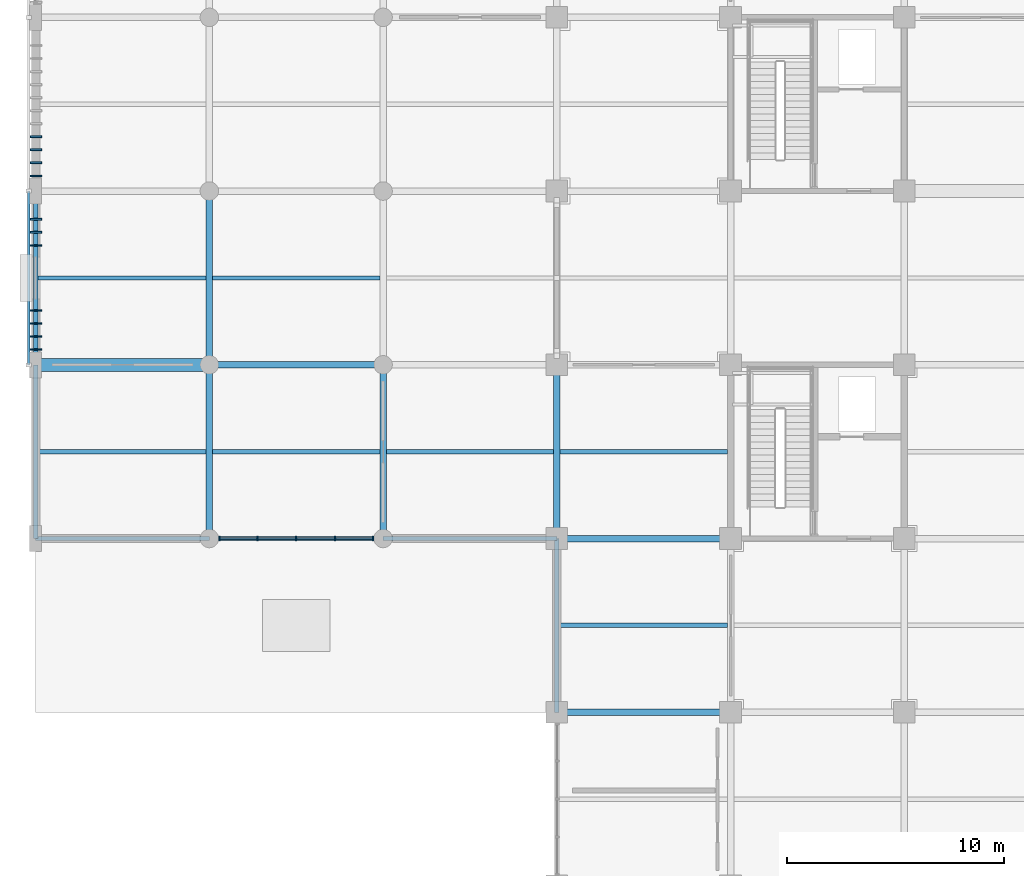
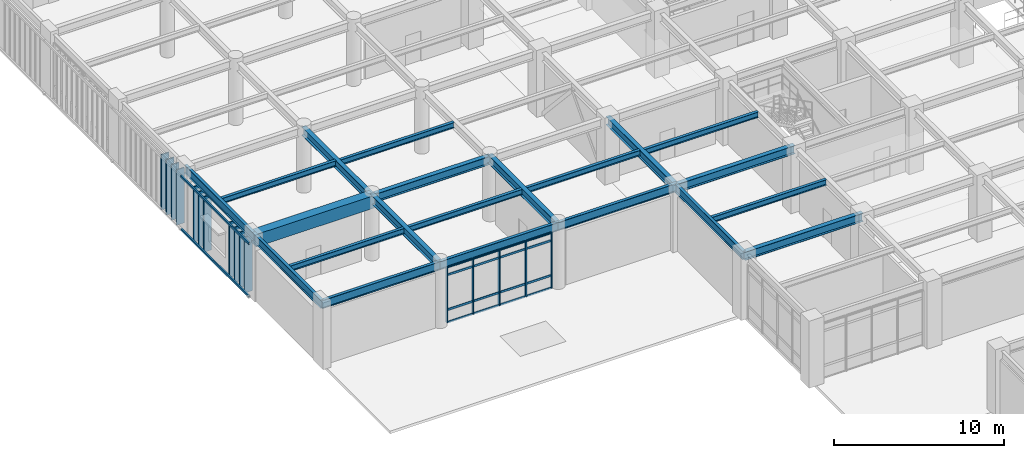
# One storey, part 10 of 117: 34 members, 21 beams, 1 element without a shape of its own.
"""IFC4 building model written with IfcOpenShell, lengths in metres."""

from ifc_helpers import new_model, si_unit, direction, frame, origin, origin_2d, place, context, subcontext, project, spatial, rectangle, hollow_rectangle, i_section, extrude, material, layer, layer_set, material_profile, profile_set, type_object, element, aggregate, save


model = new_model("IFC4")

# Units and contexts
model_context = context("Model", 3, precision=1e-05, world=origin(), true_north=direction((0.0, 1.0)))
body_context = subcontext(model_context, "Body", "Model", "MODEL_VIEW")
ifc_project = project(units=[si_unit("LENGTHUNIT", "METRE"), si_unit("AREAUNIT", "SQUARE_METRE"), si_unit("VOLUMEUNIT", "CUBIC_METRE"), si_unit("PLANEANGLEUNIT", "RADIAN"), si_unit("MASSUNIT", "GRAM", prefix="KILO")], contexts=[model_context])

# Site, building, storey
site_placement = place(None, origin())
site = spatial("IfcSite", under=ifc_project, at=site_placement, CompositionType="ELEMENT")
building_placement = place(site_placement, origin())
building = spatial("IfcBuilding", under=site, at=building_placement, Name="Haebicheon Civic Stadium", CompositionType="ELEMENT")
storey_placement = place(building_placement, frame((0.0, 0.0, 4.800048828125)))
storey = spatial("IfcBuildingStorey", under=building, at=storey_placement, Name="L02", CompositionType="ELEMENT", Elevation=4.800048828125)

# Beams
ifc_material_1 = material(Name="Concrete C40/50", Category="concrete")
ifc_material_profile_1 = material_profile(ifc_material_1, rectangle(XDim=0.60009765625, YDim=0.89990234375, at=origin_2d()), Name="RC-BM-600x900")
ifc_profile_set_1 = profile_set([ifc_material_profile_1], Name="Concrete C40/50")
beam_type_1 = type_object("IfcBeamType", Name="BM-RC-600x900", PredefinedType="BEAM", material=ifc_profile_set_1)
beam_1_placement = place(storey_placement, frame((0.0, 48.0, 4.1298828125), z_axis=(1.0, 0.0, 0.0), x_axis=(0.0, 1.0, 0.0)))
element("IfcBeam", 1, at=beam_1_placement, inside=storey, type_object=beam_type_1, material=ifc_profile_set_1, Name="L02 beam G/1-2", PredefinedType="BEAM", context=body_context, shape_type="SweptSolid", body=[
    extrude(rectangle(XDim=0.60009765625, YDim=0.89990234375, at=origin_2d()), origin(), (0.0, 0.0, 1.0), 8.0),
])
ifc_material_2 = material(Name="Steel SM355 (S355)", Category="steel")
ifc_material_profile_2 = material_profile(ifc_material_2, i_section(OverallWidth=0.300048828125, OverallDepth=0.60009765625, WebThickness=0.011962890625, FlangeThickness=0.02001953125, at=origin_2d()), Name="H-600x300x12x20")
ifc_profile_set_2 = profile_set([ifc_material_profile_2], Name="Steel SM355 (S355)")
beam_type_2 = type_object("IfcBeamType", Name="BM-ST-H600A", PredefinedType="BEAM", material=ifc_profile_set_2)
for number, where, z_axis, x_axis, name in (
    (2, (8.0, 40.0, 4.280029296875), (0.0, 1.0, 0.0), (-1.0, 0.0, 0.0), "L02 girder 2/F-G"),
    (3, (8.0, 48.0, 4.219970703125), (0.0, 1.0, 0.0), (-1.0, 0.0, 0.0), "L02 girder 2/G-H"),
    (4, (16.0, 40.0, 4.280029296875), (0.0, 1.0, 0.0), (-1.0, 0.0, 0.0), "L02 girder 3/F-G"),
    (5, (24.0, 40.0, 4.219970703125), (0.0, 1.0, 0.0), (-1.0, 0.0, 0.0), "L02 girder 4/F-G"),
    (6, (8.0, 48.0, 4.219970703125), (1.0, 0.0, 0.0), (0.0, 1.0, 0.0), "L02 beam G/2-3"),
    (7, (24.0, 32.0, 4.219970703125), (1.0, 0.0, 0.0), (0.0, 1.0, 0.0), "L02 beam E/4-5"),
    (8, (24.0, 40.0, 4.219970703125), (1.0, 0.0, 0.0), (0.0, 1.0, 0.0), "L02 beam F/4-5"),
):
    element("IfcBeam", number, at=place(storey_placement, frame(where, z_axis=z_axis, x_axis=x_axis)), inside=storey, type_object=beam_type_2, material=ifc_profile_set_2, Name=name, PredefinedType="BEAM", context=body_context, shape_type="SweptSolid", body=[
        extrude(i_section(OverallWidth=0.300048828125, OverallDepth=0.60009765625, WebThickness=0.011962890625, FlangeThickness=0.02001953125, at=origin_2d()), origin(), (0.0, 0.0, 1.0), 8.0),
    ])

# Curtain wall, members
ifc_material_3 = material(Name="Anodised aluminium and laminated glass", Category="aluminium")
ifc_layer = layer(ifc_material_3, 0.179931640625, Name="Anodised aluminium and laminated glass")
ifc_layer_set = layer_set([ifc_layer], Name="Anodised aluminium and laminated glass")
curtain_wall_type = type_object("IfcCurtainWallType", Name="CW-7150x3950", PredefinedType="NOTDEFINED", material=ifc_layer_set)
curtain_wall_placement = place(storey_placement, origin())
curtain_wall = element("IfcCurtainWall", 9, at=curtain_wall_placement, inside=storey, type_object=curtain_wall_type, material=ifc_layer_set, Name="L02 unitised curtain wall 033", PredefinedType="NOTDEFINED")
ifc_material_4 = material(Name="Anodised aluminium 6063-T6", Category="aluminium")
ifc_material_profile_3 = material_profile(ifc_material_4, rectangle(XDim=0.070068359375, YDim=0.199951171875, at=origin_2d()), Name="ALU-MULL-70x200")
ifc_profile_set_3 = profile_set([ifc_material_profile_3], Name="Anodised aluminium 6063-T6")
member_type_1 = type_object("IfcMemberType", Name="CWM-200x70", PredefinedType="MULLION", material=ifc_profile_set_3)
member_1_placement = place(storey_placement, frame((8.4599609375, 40.0, 0.0), z_axis=(0.0, 0.0, 1.0), x_axis=(1.0, 0.0, 0.0)))
member_1 = element("IfcMember", 10, at=member_1_placement, type_object=member_type_1, material=ifc_profile_set_3, Name="CW-L02-033 vertical mullion 1", PredefinedType="MULLION", context=body_context, shape_type="SweptSolid", body=[
    extrude(rectangle(XDim=0.070068359375, YDim=0.199951171875, at=origin_2d()), origin(), (0.0, 0.0, 1.0), 3.949951171875),
])
member_2_placement = place(storey_placement, frame((10.212890625, 40.0, 0.0), z_axis=(0.0, 0.0, 1.0), x_axis=(1.0, 0.0, 0.0)))
member_2 = element("IfcMember", 11, at=member_2_placement, type_object=member_type_1, material=ifc_profile_set_3, Name="CW-L02-033 vertical mullion 2", PredefinedType="MULLION", context=body_context, shape_type="SweptSolid", body=[
    extrude(rectangle(XDim=0.070068359375, YDim=0.199951171875, at=origin_2d()), origin(), (0.0, 0.0, 1.0), 3.949951171875),
])
member_3_placement = place(storey_placement, frame((12.0, 40.0, 0.0), z_axis=(0.0, 0.0, 1.0), x_axis=(1.0, 0.0, 0.0)))
member_3 = element("IfcMember", 12, at=member_3_placement, type_object=member_type_1, material=ifc_profile_set_3, Name="CW-L02-033 vertical mullion 3", PredefinedType="MULLION", context=body_context, shape_type="SweptSolid", body=[
    extrude(rectangle(XDim=0.070068359375, YDim=0.199951171875, at=origin_2d()), origin(), (0.0, 0.0, 1.0), 3.949951171875),
])
member_4_placement = place(storey_placement, frame((13.7880859375, 40.0, 0.0), z_axis=(0.0, 0.0, 1.0), x_axis=(1.0, 0.0, 0.0)))
member_4 = element("IfcMember", 13, at=member_4_placement, type_object=member_type_1, material=ifc_profile_set_3, Name="CW-L02-033 vertical mullion 4", PredefinedType="MULLION", context=body_context, shape_type="SweptSolid", body=[
    extrude(rectangle(XDim=0.070068359375, YDim=0.199951171875, at=origin_2d()), origin(), (0.0, 0.0, 1.0), 3.949951171875),
])
member_5_placement = place(storey_placement, frame((15.5400390625, 40.0, 0.0), z_axis=(0.0, 0.0, 1.0), x_axis=(1.0, 0.0, 0.0)))
member_5 = element("IfcMember", 14, at=member_5_placement, type_object=member_type_1, material=ifc_profile_set_3, Name="CW-L02-033 vertical mullion 5", PredefinedType="MULLION", context=body_context, shape_type="SweptSolid", body=[
    extrude(rectangle(XDim=0.070068359375, YDim=0.199951171875, at=origin_2d()), origin(), (0.0, 0.0, 1.0), 3.949951171875),
])
ifc_material_5 = material(Name="Anodised aluminium 6063-T6", Category="aluminium")
ifc_material_profile_4 = material_profile(ifc_material_5, rectangle(XDim=0.070068359375, YDim=0.14990234375, at=origin_2d()), Name="ALU-TRAN-70x150")
ifc_profile_set_4 = profile_set([ifc_material_profile_4], Name="Anodised aluminium 6063-T6")
member_type_2 = type_object("IfcMemberType", Name="CWT-150x70", PredefinedType="NOTDEFINED", material=ifc_profile_set_4)
member_6_placement = place(storey_placement, frame((8.4951171875, 40.0, 0.0), z_axis=(1.0, 0.0, 0.0), x_axis=(0.0, 1.0, 0.0)))
member_6 = element("IfcMember", 15, at=member_6_placement, type_object=member_type_2, material=ifc_profile_set_4, Name="CW-L02-033 horizontal transom 1.1", ObjectType="TRANSOM", PredefinedType="USERDEFINED", context=body_context, shape_type="SweptSolid", body=[
    extrude(rectangle(XDim=0.070068359375, YDim=0.14990234375, at=origin_2d()), origin(), (0.0, 0.0, 1.0), 1.682861328125),
])
member_7_placement = place(storey_placement, frame((8.4951171875, 40.0, 0.89990234375), z_axis=(1.0, 0.0, 0.0), x_axis=(0.0, 1.0, 0.0)))
member_7 = element("IfcMember", 16, at=member_7_placement, type_object=member_type_2, material=ifc_profile_set_4, Name="CW-L02-033 horizontal transom 1.2", ObjectType="TRANSOM", PredefinedType="USERDEFINED", context=body_context, shape_type="SweptSolid", body=[
    extrude(rectangle(XDim=0.070068359375, YDim=0.14990234375, at=origin_2d()), origin(), (0.0, 0.0, 1.0), 1.682861328125),
])
member_8_placement = place(storey_placement, frame((8.4951171875, 40.0, 3.39990234375), z_axis=(1.0, 0.0, 0.0), x_axis=(0.0, 1.0, 0.0)))
member_8 = element("IfcMember", 17, at=member_8_placement, type_object=member_type_2, material=ifc_profile_set_4, Name="CW-L02-033 horizontal transom 1.3", ObjectType="TRANSOM", PredefinedType="USERDEFINED", context=body_context, shape_type="SweptSolid", body=[
    extrude(rectangle(XDim=0.070068359375, YDim=0.14990234375, at=origin_2d()), origin(), (0.0, 0.0, 1.0), 1.682861328125),
])
member_9_placement = place(storey_placement, frame((8.4951171875, 40.0, 3.949951171875), z_axis=(1.0, 0.0, 0.0), x_axis=(0.0, 1.0, 0.0)))
member_9 = element("IfcMember", 18, at=member_9_placement, type_object=member_type_2, material=ifc_profile_set_4, Name="CW-L02-033 horizontal transom 1.4", ObjectType="TRANSOM", PredefinedType="USERDEFINED", context=body_context, shape_type="SweptSolid", body=[
    extrude(rectangle(XDim=0.070068359375, YDim=0.14990234375, at=origin_2d()), origin(), (0.0, 0.0, 1.0), 1.682861328125),
])
member_10_placement = place(storey_placement, frame((10.248046875, 40.0, 0.0), z_axis=(1.0, 0.0, 0.0), x_axis=(0.0, 1.0, 0.0)))
member_10 = element("IfcMember", 19, at=member_10_placement, type_object=member_type_2, material=ifc_profile_set_4, Name="CW-L02-033 horizontal transom 2.1", ObjectType="TRANSOM", PredefinedType="USERDEFINED", context=body_context, shape_type="SweptSolid", body=[
    extrude(rectangle(XDim=0.070068359375, YDim=0.14990234375, at=origin_2d()), origin(), (0.0, 0.0, 1.0), 1.717041015625),
])
member_11_placement = place(storey_placement, frame((10.248046875, 40.0, 0.89990234375), z_axis=(1.0, 0.0, 0.0), x_axis=(0.0, 1.0, 0.0)))
member_11 = element("IfcMember", 20, at=member_11_placement, type_object=member_type_2, material=ifc_profile_set_4, Name="CW-L02-033 horizontal transom 2.2", ObjectType="TRANSOM", PredefinedType="USERDEFINED", context=body_context, shape_type="SweptSolid", body=[
    extrude(rectangle(XDim=0.070068359375, YDim=0.14990234375, at=origin_2d()), origin(), (0.0, 0.0, 1.0), 1.717041015625),
])
member_12_placement = place(storey_placement, frame((10.248046875, 40.0, 3.39990234375), z_axis=(1.0, 0.0, 0.0), x_axis=(0.0, 1.0, 0.0)))
member_12 = element("IfcMember", 21, at=member_12_placement, type_object=member_type_2, material=ifc_profile_set_4, Name="CW-L02-033 horizontal transom 2.3", ObjectType="TRANSOM", PredefinedType="USERDEFINED", context=body_context, shape_type="SweptSolid", body=[
    extrude(rectangle(XDim=0.070068359375, YDim=0.14990234375, at=origin_2d()), origin(), (0.0, 0.0, 1.0), 1.717041015625),
])
member_13_placement = place(storey_placement, frame((10.248046875, 40.0, 3.949951171875), z_axis=(1.0, 0.0, 0.0), x_axis=(0.0, 1.0, 0.0)))
member_13 = element("IfcMember", 22, at=member_13_placement, type_object=member_type_2, material=ifc_profile_set_4, Name="CW-L02-033 horizontal transom 2.4", ObjectType="TRANSOM", PredefinedType="USERDEFINED", context=body_context, shape_type="SweptSolid", body=[
    extrude(rectangle(XDim=0.070068359375, YDim=0.14990234375, at=origin_2d()), origin(), (0.0, 0.0, 1.0), 1.717041015625),
])
member_14_placement = place(storey_placement, frame((12.034912109375, 40.0, 0.0), z_axis=(1.0, 0.0, 0.0), x_axis=(0.0, 1.0, 0.0)))
member_14 = element("IfcMember", 23, at=member_14_placement, type_object=member_type_2, material=ifc_profile_set_4, Name="CW-L02-033 horizontal transom 3.1", ObjectType="TRANSOM", PredefinedType="USERDEFINED", context=body_context, shape_type="SweptSolid", body=[
    extrude(rectangle(XDim=0.070068359375, YDim=0.14990234375, at=origin_2d()), origin(), (0.0, 0.0, 1.0), 1.718017578125),
])
member_15_placement = place(storey_placement, frame((12.034912109375, 40.0, 0.89990234375), z_axis=(1.0, 0.0, 0.0), x_axis=(0.0, 1.0, 0.0)))
member_15 = element("IfcMember", 24, at=member_15_placement, type_object=member_type_2, material=ifc_profile_set_4, Name="CW-L02-033 horizontal transom 3.2", ObjectType="TRANSOM", PredefinedType="USERDEFINED", context=body_context, shape_type="SweptSolid", body=[
    extrude(rectangle(XDim=0.070068359375, YDim=0.14990234375, at=origin_2d()), origin(), (0.0, 0.0, 1.0), 1.718017578125),
])
member_16_placement = place(storey_placement, frame((12.034912109375, 40.0, 3.39990234375), z_axis=(1.0, 0.0, 0.0), x_axis=(0.0, 1.0, 0.0)))
member_16 = element("IfcMember", 25, at=member_16_placement, type_object=member_type_2, material=ifc_profile_set_4, Name="CW-L02-033 horizontal transom 3.3", ObjectType="TRANSOM", PredefinedType="USERDEFINED", context=body_context, shape_type="SweptSolid", body=[
    extrude(rectangle(XDim=0.070068359375, YDim=0.14990234375, at=origin_2d()), origin(), (0.0, 0.0, 1.0), 1.718017578125),
])
member_17_placement = place(storey_placement, frame((12.034912109375, 40.0, 3.949951171875), z_axis=(1.0, 0.0, 0.0), x_axis=(0.0, 1.0, 0.0)))
member_17 = element("IfcMember", 26, at=member_17_placement, type_object=member_type_2, material=ifc_profile_set_4, Name="CW-L02-033 horizontal transom 3.4", ObjectType="TRANSOM", PredefinedType="USERDEFINED", context=body_context, shape_type="SweptSolid", body=[
    extrude(rectangle(XDim=0.070068359375, YDim=0.14990234375, at=origin_2d()), origin(), (0.0, 0.0, 1.0), 1.718017578125),
])
member_18_placement = place(storey_placement, frame((13.822998046875, 40.0, 0.0), z_axis=(1.0, 0.0, 0.0), x_axis=(0.0, 1.0, 0.0)))
member_18 = element("IfcMember", 27, at=member_18_placement, type_object=member_type_2, material=ifc_profile_set_4, Name="CW-L02-033 horizontal transom 4.1", ObjectType="TRANSOM", PredefinedType="USERDEFINED", context=body_context, shape_type="SweptSolid", body=[
    extrude(rectangle(XDim=0.070068359375, YDim=0.14990234375, at=origin_2d()), origin(), (0.0, 0.0, 1.0), 1.681884765625),
])
member_19_placement = place(storey_placement, frame((13.822998046875, 40.0, 0.89990234375), z_axis=(1.0, 0.0, 0.0), x_axis=(0.0, 1.0, 0.0)))
member_19 = element("IfcMember", 28, at=member_19_placement, type_object=member_type_2, material=ifc_profile_set_4, Name="CW-L02-033 horizontal transom 4.2", ObjectType="TRANSOM", PredefinedType="USERDEFINED", context=body_context, shape_type="SweptSolid", body=[
    extrude(rectangle(XDim=0.070068359375, YDim=0.14990234375, at=origin_2d()), origin(), (0.0, 0.0, 1.0), 1.681884765625),
])
member_20_placement = place(storey_placement, frame((13.822998046875, 40.0, 3.39990234375), z_axis=(1.0, 0.0, 0.0), x_axis=(0.0, 1.0, 0.0)))
member_20 = element("IfcMember", 29, at=member_20_placement, type_object=member_type_2, material=ifc_profile_set_4, Name="CW-L02-033 horizontal transom 4.3", ObjectType="TRANSOM", PredefinedType="USERDEFINED", context=body_context, shape_type="SweptSolid", body=[
    extrude(rectangle(XDim=0.070068359375, YDim=0.14990234375, at=origin_2d()), origin(), (0.0, 0.0, 1.0), 1.681884765625),
])
member_21_placement = place(storey_placement, frame((13.822998046875, 40.0, 3.949951171875), z_axis=(1.0, 0.0, 0.0), x_axis=(0.0, 1.0, 0.0)))
member_21 = element("IfcMember", 30, at=member_21_placement, type_object=member_type_2, material=ifc_profile_set_4, Name="CW-L02-033 horizontal transom 4.4", ObjectType="TRANSOM", PredefinedType="USERDEFINED", context=body_context, shape_type="SweptSolid", body=[
    extrude(rectangle(XDim=0.070068359375, YDim=0.14990234375, at=origin_2d()), origin(), (0.0, 0.0, 1.0), 1.681884765625),
])
aggregate(curtain_wall, [member_1, member_2, member_3, member_4, member_5, member_6, member_7, member_8, member_9, member_10, member_11, member_12, member_13, member_14, member_15, member_16, member_17, member_18, member_19, member_20, member_21])

# Beams
ifc_material_6 = material(Name="Steel SM355 (S355)", Category="steel")
ifc_material_profile_5 = material_profile(ifc_material_6, i_section(OverallWidth=0.199951171875, OverallDepth=0.39990234375, WebThickness=0.008056640625, FlangeThickness=0.012939453125, at=origin_2d()), Name="H-400x200x8x13")
ifc_profile_set_5 = profile_set([ifc_material_profile_5], Name="Steel SM355 (S355)")
beam_type_3 = type_object("IfcBeamType", Name="JST-ST-H400", PredefinedType="JOIST", material=ifc_profile_set_5)
for number, where, z_axis, x_axis, name in (
    (31, (0.10009765625, 44.0, 4.3798828125), (1.0, 0.0, 0.0), (0.0, 1.0, 0.0), "L02 secondary joist 00-05"),
    (32, (0.10009765625, 52.0, 4.3798828125), (1.0, 0.0, 0.0), (0.0, 1.0, 0.0), "L02 secondary joist 00-06"),
):
    element("IfcBeam", number, at=place(storey_placement, frame(where, z_axis=z_axis, x_axis=x_axis)), inside=storey, type_object=beam_type_3, material=ifc_profile_set_5, Name=name, PredefinedType="JOIST", context=body_context, shape_type="SweptSolid", body=[
        extrude(i_section(OverallWidth=0.199951171875, OverallDepth=0.39990234375, WebThickness=0.008056640625, FlangeThickness=0.012939453125, at=origin_2d()), origin(), (0.0, 0.0, 1.0), 7.75),
    ])
for number, where, z_axis, x_axis, name in (
    (33, (8.14990234375, 44.0, 4.3798828125), (1.0, 0.0, 0.0), (0.0, 1.0, 0.0), "L02 secondary joist 01-05"),
    (34, (8.14990234375, 52.0, 4.320068359375), (1.0, 0.0, 0.0), (0.0, 1.0, 0.0), "L02 secondary joist 01-06"),
    (35, (16.14990234375, 44.0, 4.3798828125), (1.0, 0.0, 0.0), (0.0, 1.0, 0.0), "L02 secondary joist 02-05"),
):
    element("IfcBeam", number, at=place(storey_placement, frame(where, z_axis=z_axis, x_axis=x_axis)), inside=storey, type_object=beam_type_3, material=ifc_profile_set_5, Name=name, PredefinedType="JOIST", context=body_context, shape_type="SweptSolid", body=[
        extrude(i_section(OverallWidth=0.199951171875, OverallDepth=0.39990234375, WebThickness=0.008056640625, FlangeThickness=0.012939453125, at=origin_2d()), origin(), (0.0, 0.0, 1.0), 7.7001953125),
    ])
beam_2_placement = place(storey_placement, frame((24.10009765625, 36.0, 4.320068359375), z_axis=(1.0, 0.0, 0.0), x_axis=(0.0, 1.0, 0.0)))
element("IfcBeam", 36, at=beam_2_placement, inside=storey, type_object=beam_type_3, material=ifc_profile_set_5, Name="L02 secondary joist 03-04", PredefinedType="JOIST", context=body_context, shape_type="SweptSolid", body=[
    extrude(i_section(OverallWidth=0.199951171875, OverallDepth=0.39990234375, WebThickness=0.008056640625, FlangeThickness=0.012939453125, at=origin_2d()), origin(), (0.0, 0.0, 1.0), 7.75),
])
beam_3_placement = place(storey_placement, frame((24.14990234375, 44.0, 4.320068359375), z_axis=(1.0, 0.0, 0.0), x_axis=(0.0, 1.0, 0.0)))
element("IfcBeam", 37, at=beam_3_placement, inside=storey, type_object=beam_type_3, material=ifc_profile_set_5, Name="L02 secondary joist 03-05", PredefinedType="JOIST", context=body_context, shape_type="SweptSolid", body=[
    extrude(i_section(OverallWidth=0.199951171875, OverallDepth=0.39990234375, WebThickness=0.008056640625, FlangeThickness=0.012939453125, at=origin_2d()), origin(), (0.0, 0.0, 1.0), 7.7001953125),
])

# Members
ifc_material_7 = material(Name="Acetylated timber GL28h", Category="wood")
ifc_material_profile_6 = material_profile(ifc_material_7, rectangle(XDim=0.080078125, YDim=0.52001953125, at=origin_2d()), Name="TMB-LOUV-80x520")
ifc_profile_set_6 = profile_set([ifc_material_profile_6], Name="Acetylated timber GL28h")
member_type_3 = type_object("IfcMemberType", Name="LVR-TIM-520x80", PredefinedType="PLATE", material=ifc_profile_set_6)
for number, where, z_axis, x_axis, name in (
    (38, (0.02001953125, 48.699951171875, -0.1201171875), (0.0, 0.0, 1.0), (0.0, 1.0, 0.0), "SCR-BOUL L02 acetylated timber storm louvre fin 1.1"),
    (39, (0.02001953125, 49.300048828125, -0.1201171875), (0.0, 0.0, 1.0), (0.0, 1.0, 0.0), "SCR-BOUL L02 acetylated timber storm louvre fin 1.2"),
    (40, (0.02001953125, 49.89990234375, -0.1201171875), (0.0, 0.0, 1.0), (0.0, 1.0, 0.0), "SCR-BOUL L02 acetylated timber storm louvre fin 1.3"),
    (41, (0.02001953125, 50.5, -0.1201171875), (0.0, 0.0, 1.0), (0.0, 1.0, 0.0), "SCR-BOUL L02 acetylated timber storm louvre fin 1.4"),
    (42, (0.02001953125, 53.5, -0.1201171875), (0.0, 0.0, 1.0), (0.0, 1.0, 0.0), "SCR-BOUL L02 acetylated timber storm louvre fin 1.9"),
    (43, (0.02001953125, 54.10009765625, -0.1201171875), (0.0, 0.0, 1.0), (0.0, 1.0, 0.0), "SCR-BOUL L02 acetylated timber storm louvre fin 1.10"),
    (44, (0.02001953125, 54.699951171875, -0.1201171875), (0.0, 0.0, 1.0), (0.0, 1.0, 0.0), "SCR-BOUL L02 acetylated timber storm louvre fin 1.11"),
    (45, (0.02001953125, 56.699951171875, -0.1201171875), (0.0, 0.0, 1.0), (0.0, 1.0, 0.0), "SCR-BOUL L02 acetylated timber storm louvre fin 2.1"),
    (46, (0.02001953125, 57.300048828125, -0.1201171875), (0.0, 0.0, 1.0), (0.0, 1.0, 0.0), "SCR-BOUL L02 acetylated timber storm louvre fin 2.2"),
    (47, (0.02001953125, 57.89990234375, -0.1201171875), (0.0, 0.0, 1.0), (0.0, 1.0, 0.0), "SCR-BOUL L02 acetylated timber storm louvre fin 2.3"),
    (48, (0.02001953125, 58.5, -0.1201171875), (0.0, 0.0, 1.0), (0.0, 1.0, 0.0), "SCR-BOUL L02 acetylated timber storm louvre fin 2.4"),
):
    element("IfcMember", number, at=place(storey_placement, frame(where, z_axis=z_axis, x_axis=x_axis)), inside=storey, type_object=member_type_3, material=ifc_profile_set_6, Name=name, PredefinedType="PLATE", context=body_context, shape_type="SweptSolid", body=[
        extrude(rectangle(XDim=0.080078125, YDim=0.52001953125, at=origin_2d()), origin(), (0.0, 0.0, 1.0), 3.969970703125),
    ])

# Beams
ifc_material_8 = material(Name="Steel SM355 (S355)", Category="steel")
ifc_material_profile_7 = material_profile(ifc_material_8, i_section(OverallWidth=0.199951171875, OverallDepth=0.60009765625, WebThickness=0.010986328125, FlangeThickness=0.01708984375, at=origin_2d()), Name="H-600x200x11x17")
ifc_profile_set_7 = profile_set([ifc_material_profile_7], Name="Steel SM355 (S355)")
beam_type_4 = type_object("IfcBeamType", Name="SPD-ST-H600B", PredefinedType="SPANDREL", material=ifc_profile_set_7)
for number, where, z_axis, x_axis, name in (
    (49, (0.0, 40.0, 4.280029296875), (0.0, 1.0, 0.0), (-1.0, 0.0, 0.0), "L02 girder 1/F-G"),
    (50, (0.0, 48.0, 4.280029296875), (0.0, 1.0, 0.0), (-1.0, 0.0, 0.0), "L02 girder 1/G-H"),
    (51, (24.0, 32.0, 4.219970703125), (0.0, 1.0, 0.0), (-1.0, 0.0, 0.0), "L02 girder 4/E-F"),
    (52, (0.0, 40.0, 4.280029296875), (1.0, 0.0, 0.0), (0.0, 1.0, 0.0), "L02 beam F/1-2"),
    (53, (8.0, 40.0, 4.280029296875), (1.0, 0.0, 0.0), (0.0, 1.0, 0.0), "L02 beam F/2-3"),
    (54, (16.0, 40.0, 4.280029296875), (1.0, 0.0, 0.0), (0.0, 1.0, 0.0), "L02 beam F/3-4"),
):
    element("IfcBeam", number, at=place(storey_placement, frame(where, z_axis=z_axis, x_axis=x_axis)), inside=storey, type_object=beam_type_4, material=ifc_profile_set_7, Name=name, PredefinedType="SPANDREL", context=body_context, shape_type="SweptSolid", body=[
        extrude(i_section(OverallWidth=0.199951171875, OverallDepth=0.60009765625, WebThickness=0.010986328125, FlangeThickness=0.01708984375, at=origin_2d()), origin(), (0.0, 0.0, 1.0), 8.0),
    ])

# Members
ifc_material_9 = material(Name="Steel SM355 (S355)", Category="steel")
ifc_material_profile_8 = material_profile(ifc_material_9, hollow_rectangle(XDim=0.10009765625, YDim=0.14990234375, WallThickness=0.006103515625, at=origin_2d()), Name="RHS-150x100x6.0")
ifc_profile_set_8 = profile_set([ifc_material_profile_8], Name="Steel SM355 (S355)")
member_type_4 = type_object("IfcMemberType", Name="SUB-RHS150", PredefinedType="STRINGER", material=ifc_profile_set_8)
for number, where, z_axis, x_axis, name in (
    (55, (-0.31494140625, 48.0, 0.06005859375), (0.0, 1.0, 0.0), (-1.0, 0.0, 0.0), "SCR-BOUL L02 storm-louvre bottom carrier rail 1"),
    (56, (-0.31494140625, 48.0, 3.849853515625), (0.0, 1.0, 0.0), (-1.0, 0.0, 0.0), "SCR-BOUL L02 storm-louvre top carrier rail 1"),
):
    element("IfcMember", number, at=place(storey_placement, frame(where, z_axis=z_axis, x_axis=x_axis)), inside=storey, type_object=member_type_4, material=ifc_profile_set_8, Name=name, PredefinedType="STRINGER", context=body_context, shape_type="SweptSolid", body=[
        extrude(hollow_rectangle(XDim=0.10009765625, YDim=0.14990234375, WallThickness=0.006103515625, at=origin_2d()), origin(), (0.0, 0.0, 1.0), 8.0),
    ])

save(model, "model.ifc")
